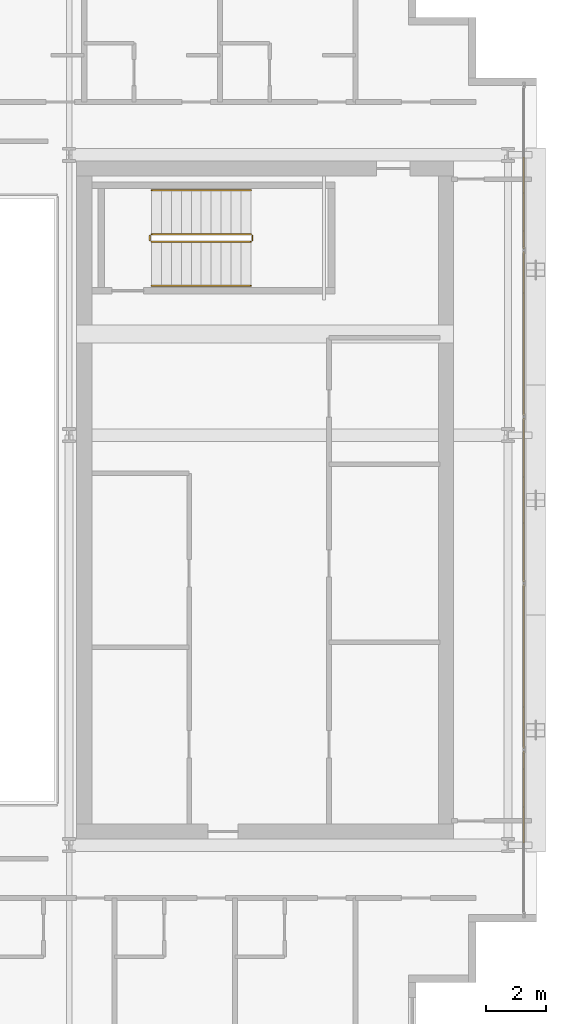
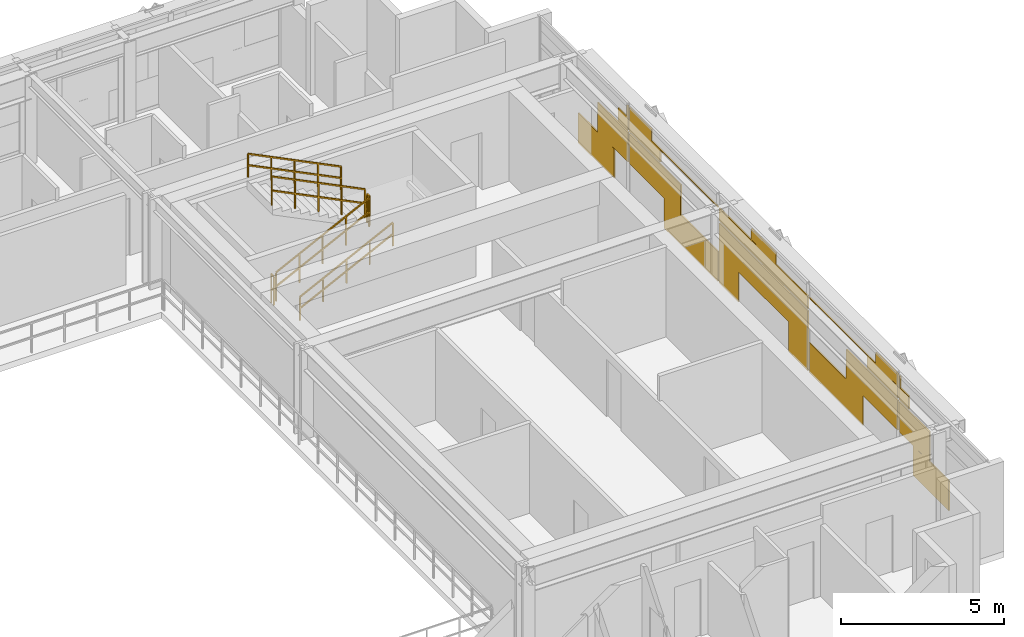
# One storey, part 31 of 32: 6 railings, 1 covering.
"""IFC4 building model written with IfcOpenShell, lengths in metres."""

from ifc_helpers import new_model, si_unit, direction, frame, origin, origin_2d, place, context, subcontext, project, spatial, rectangle, extrude, material, layer, layer_set, type_object, element, save


model = new_model("IFC4")

# Units and contexts
model_context = context("Model", 3, precision=1e-05, world=origin(), true_north=direction((0.0, 1.0)))
body_context = subcontext(model_context, "Body", "Model", "MODEL_VIEW")
ifc_project = project(units=[si_unit("LENGTHUNIT", "METRE"), si_unit("AREAUNIT", "SQUARE_METRE"), si_unit("VOLUMEUNIT", "CUBIC_METRE"), si_unit("PLANEANGLEUNIT", "RADIAN"), si_unit("MASSUNIT", "GRAM", prefix="KILO")], contexts=[model_context])

# Site, building, storey
site_placement = place(None, origin())
site = spatial("IfcSite", under=ifc_project, at=site_placement, CompositionType="ELEMENT")
building_placement = place(site_placement, origin())
building = spatial("IfcBuilding", under=site, at=building_placement, Name="Ocotamira Hotel", CompositionType="ELEMENT")
storey_placement = place(building_placement, frame((0.0, 0.0, 166.800048828125)))
storey = spatial("IfcBuildingStorey", under=building, at=storey_placement, Name="L41", CompositionType="ELEMENT", Elevation=166.800048828125)

# Covering
ifc_material_1 = material(Name="Insulated pale-metal aluminium spandrel panel", Category="aluminium")
ifc_layer = layer(ifc_material_1, 0.044921875)
ifc_layer_set = layer_set([ifc_layer], Name="Insulated pale-metal aluminium spandrel panel")
covering_type = type_object("IfcCoveringType", Name="COV-INFILL-45", PredefinedType="CLADDING", material=ifc_layer_set)
covering_placement = place(storey_placement, origin())
element("IfcCovering", 1, at=covering_placement, inside=storey, type_object=covering_type, Name="L41 Curtain Wall Infill CW-4 CW-L41-E", PredefinedType="CLADDING", context=body_context, shape_type="SweptSolid", body=[
    extrude(rectangle(XDim=2.205078125, YDim=0.044921875, at=origin_2d()), frame((55.580078125, 15.7314453125, 0.0751953125), z_axis=(0.0, 0.0, 1.0), x_axis=(0.0, 1.0, 0.0)), (0.0, 0.0, 1.0), 1.117919921875),
    extrude(rectangle(XDim=1.864501953125, YDim=0.044921875, at=origin_2d()), frame((55.580078125, 16.747314453125, 1.19384765625), z_axis=(0.0, 0.0, 1.0), x_axis=(0.0, 1.0, 0.0)), (0.0, 0.0, 1.0), 1.117919921875),
    extrude(rectangle(XDim=0.59912109375, YDim=0.044921875, at=origin_2d()), frame((55.580078125, 17.3798828125, 2.38818359375), z_axis=(0.0, 0.0, 1.0), x_axis=(0.0, 1.0, 0.0)), (0.0, 0.0, 1.0), 0.493896484375),
    extrude(rectangle(XDim=0.07421875, YDim=0.044921875, at=origin_2d()), frame((55.580078125, 17.642333984375, 2.883056640625), z_axis=(0.0, 0.0, 1.0), x_axis=(0.0, 1.0, 0.0)), (0.0, 0.0, 1.0), 0.41162109375),
    extrude(rectangle(XDim=3.157958984375, YDim=0.044921875, at=origin_2d()), frame((55.580078125, 19.33935546875, 1.19384765625), z_axis=(0.0, 0.0, 1.0), x_axis=(0.0, 1.0, 0.0)), (0.0, 0.0, 1.0), 1.117919921875),
    extrude(rectangle(XDim=3.30029296875, YDim=0.044921875, at=origin_2d()), frame((55.580078125, 21.54931640625, 0.0751953125), z_axis=(0.0, 0.0, 1.0), x_axis=(0.0, 1.0, 0.0)), (0.0, 0.0, 1.0), 1.117919921875),
    extrude(rectangle(XDim=1.892333984375, YDim=0.044921875, at=origin_2d()), frame((55.580078125, 18.70654296875, 2.38818359375), z_axis=(0.0, 0.0, 1.0), x_axis=(0.0, 1.0, 0.0)), (0.0, 0.0, 1.0), 0.459716796875),
    extrude(rectangle(XDim=5.43896484375, YDim=0.044921875, at=origin_2d()), frame((55.580078125, 20.47998046875, 2.8486328125), z_axis=(0.0, 0.0, 1.0), x_axis=(0.0, 1.0, 0.0)), (0.0, 0.0, 1.0), 0.033203125),
    extrude(rectangle(XDim=1.367431640625, YDim=0.044921875, at=origin_2d()), frame((55.580078125, 18.444091796875, 2.883056640625), z_axis=(0.0, 0.0, 1.0), x_axis=(0.0, 1.0, 0.0)), (0.0, 0.0, 1.0), 0.41162109375),
    extrude(rectangle(XDim=1.18701171875, YDim=0.044921875, at=origin_2d()), frame((55.580078125, 23.873779296875, 0.0751953125), z_axis=(0.0, 0.0, 1.0), x_axis=(0.0, 1.0, 0.0)), (0.0, 0.0, 1.0), 1.117919921875),
    extrude(rectangle(XDim=5.43896484375, YDim=0.044921875, at=origin_2d()), frame((55.580078125, 26.0, 1.19384765625), z_axis=(0.0, 0.0, 1.0), x_axis=(0.0, 1.0, 0.0)), (0.0, 0.0, 1.0), 1.117919921875),
    extrude(rectangle(XDim=1.18701171875, YDim=0.044921875, at=origin_2d()), frame((55.580078125, 28.126220703125, 0.0751953125), z_axis=(0.0, 0.0, 1.0), x_axis=(0.0, 1.0, 0.0)), (0.0, 0.0, 1.0), 1.117919921875),
    extrude(rectangle(XDim=5.43896484375, YDim=0.044921875, at=origin_2d()), frame((55.580078125, 26.0, 2.38818359375), z_axis=(0.0, 0.0, 1.0), x_axis=(0.0, 1.0, 0.0)), (0.0, 0.0, 1.0), 0.493896484375),
    extrude(rectangle(XDim=1.522705078125, YDim=0.044921875, at=origin_2d()), frame((55.580078125, 26.0, 2.883056640625), z_axis=(0.0, 0.0, 1.0), x_axis=(0.0, 1.0, 0.0)), (0.0, 0.0, 1.0), 0.41162109375),
    extrude(rectangle(XDim=3.30029296875, YDim=0.044921875, at=origin_2d()), frame((55.580078125, 30.45068359375, 0.0751953125), z_axis=(0.0, 0.0, 1.0), x_axis=(0.0, 1.0, 0.0)), (0.0, 0.0, 1.0), 1.117919921875),
    extrude(rectangle(XDim=3.157958984375, YDim=0.044921875, at=origin_2d()), frame((55.580078125, 32.66064453125, 1.19384765625), z_axis=(0.0, 0.0, 1.0), x_axis=(0.0, 1.0, 0.0)), (0.0, 0.0, 1.0), 1.117919921875),
    extrude(rectangle(XDim=5.43896484375, YDim=0.044921875, at=origin_2d()), frame((55.580078125, 31.52001953125, 2.8486328125), z_axis=(0.0, 0.0, 1.0), x_axis=(0.0, 1.0, 0.0)), (0.0, 0.0, 1.0), 0.033203125),
    extrude(rectangle(XDim=1.892333984375, YDim=0.044921875, at=origin_2d()), frame((55.580078125, 33.29345703125, 2.38818359375), z_axis=(0.0, 0.0, 1.0), x_axis=(0.0, 1.0, 0.0)), (0.0, 0.0, 1.0), 0.459716796875),
    extrude(rectangle(XDim=1.367431640625, YDim=0.044921875, at=origin_2d()), frame((55.580078125, 33.555908203125, 2.883056640625), z_axis=(0.0, 0.0, 1.0), x_axis=(0.0, 1.0, 0.0)), (0.0, 0.0, 1.0), 0.41162109375),
    extrude(rectangle(XDim=1.864501953125, YDim=0.044921875, at=origin_2d()), frame((55.580078125, 35.252685546875, 1.19384765625), z_axis=(0.0, 0.0, 1.0), x_axis=(0.0, 1.0, 0.0)), (0.0, 0.0, 1.0), 1.117919921875),
    extrude(rectangle(XDim=2.205078125, YDim=0.044921875, at=origin_2d()), frame((55.580078125, 36.2685546875, 0.0751953125), z_axis=(0.0, 0.0, 1.0), x_axis=(0.0, 1.0, 0.0)), (0.0, 0.0, 1.0), 1.117919921875),
    extrude(rectangle(XDim=0.59912109375, YDim=0.044921875, at=origin_2d()), frame((55.580078125, 34.6201171875, 2.38818359375), z_axis=(0.0, 0.0, 1.0), x_axis=(0.0, 1.0, 0.0)), (0.0, 0.0, 1.0), 0.493896484375),
    extrude(rectangle(XDim=0.07421875, YDim=0.044921875, at=origin_2d()), frame((55.580078125, 34.357666015625, 2.883056640625), z_axis=(0.0, 0.0, 1.0), x_axis=(0.0, 1.0, 0.0)), (0.0, 0.0, 1.0), 0.41162109375),
])

# Railings
ifc_material_2 = material(Name="Brushed stainless steel handrail", Category="steel")
railing_type_1 = type_object("IfcRailingType", Name="RL-HAND-900", PredefinedType="HANDRAIL", material=ifc_material_2)
railing_1_placement = place(storey_placement, frame((43.22998046875, 33.10009765625, 0.3271484375)))
element("IfcRailing", 2, at=railing_1_placement, inside=storey, type_object=railing_type_1, Name="L41 ST-4 stair handrail 1", PredefinedType="HANDRAIL", context=body_context, shape_type="SweptSolid", body=[
    extrude(rectangle(XDim=0.048095703125, YDim=0.048095703125, at=origin_2d()), frame((0.0, 0.0, 0.8759765625), z_axis=(0.895893744519, 0.0, 0.4442683857), x_axis=(0.0, 1.0, 0.0)), (0.0, 0.0, 1.0), 3.68359375),
    extrude(rectangle(XDim=0.048095703125, YDim=0.048095703125, at=origin_2d()), frame((0.0, 0.0, 0.449951171875), z_axis=(0.895893744519, 0.0, 0.4442683857), x_axis=(0.0, 1.0, 0.0)), (0.0, 0.0, 1.0), 3.68359375),
    extrude(rectangle(XDim=0.0419921875, YDim=0.0419921875, at=origin_2d()), origin(), (0.0, 0.0, 1.0), 0.851806640625),
    extrude(rectangle(XDim=0.0419921875, YDim=0.0419921875, at=origin_2d()), frame((0.824951171875, 0.0, 0.4091796875)), (0.0, 0.0, 1.0), 0.851806640625),
    extrude(rectangle(XDim=0.0419921875, YDim=0.0419921875, at=origin_2d()), frame((1.64990234375, 0.0, 0.818359375)), (0.0, 0.0, 1.0), 0.851806640625),
    extrude(rectangle(XDim=0.0419921875, YDim=0.0419921875, at=origin_2d()), frame((2.47509765625, 0.0, 1.227294921875)), (0.0, 0.0, 1.0), 0.851806640625),
    extrude(rectangle(XDim=0.0419921875, YDim=0.0419921875, at=origin_2d()), frame((3.300048828125, 0.0, 1.636474609375)), (0.0, 0.0, 1.0), 0.851806640625),
])
railing_2_placement = place(storey_placement, frame((46.530029296875, 36.280029296875, 2.127197265625)))
element("IfcRailing", 3, at=railing_2_placement, inside=storey, type_object=railing_type_1, Name="L41 ST-4 stair handrail 2", PredefinedType="HANDRAIL", context=body_context, shape_type="SweptSolid", body=[
    extrude(rectangle(XDim=0.048095703125, YDim=0.048095703125, at=origin_2d()), frame((0.0, 0.0, 0.8759765625), z_axis=(-0.895893744519, 0.0, 0.4442683857), x_axis=(0.0, -1.0, 0.0)), (0.0, 0.0, 1.0), 3.68359375),
    extrude(rectangle(XDim=0.048095703125, YDim=0.048095703125, at=origin_2d()), frame((0.0, 0.0, 0.449951171875), z_axis=(-0.895893744519, 0.0, 0.4442683857), x_axis=(0.0, -1.0, 0.0)), (0.0, 0.0, 1.0), 3.68359375),
    extrude(rectangle(XDim=0.0419921875, YDim=0.0419921875, at=origin_2d()), origin(), (0.0, 0.0, 1.0), 0.851806640625),
    extrude(rectangle(XDim=0.0419921875, YDim=0.0419921875, at=origin_2d()), frame((-0.824951171875, 0.0, 0.4091796875)), (0.0, 0.0, 1.0), 0.851806640625),
    extrude(rectangle(XDim=0.0419921875, YDim=0.0419921875, at=origin_2d()), frame((-1.64990234375, 0.0, 0.818359375)), (0.0, 0.0, 1.0), 0.851806640625),
    extrude(rectangle(XDim=0.0419921875, YDim=0.0419921875, at=origin_2d()), frame((-2.47509765625, 0.0, 1.227294921875)), (0.0, 0.0, 1.0), 0.851806640625),
    extrude(rectangle(XDim=0.0419921875, YDim=0.0419921875, at=origin_2d()), frame((-3.300048828125, 0.0, 1.636474609375)), (0.0, 0.0, 1.0), 0.851806640625),
])
ifc_material_3 = material(Name="Painted steel stair guardrail", Category="steel")
railing_type_2 = type_object("IfcRailingType", Name="RL-STAIR-1100", PredefinedType="GUARDRAIL", material=ifc_material_3)
railing_3_placement = place(storey_placement, frame((43.22998046875, 34.56005859375, 0.16357421875)))
element("IfcRailing", 4, at=railing_3_placement, inside=storey, type_object=railing_type_2, Name="L41 ST-4 stair guard 1", PredefinedType="GUARDRAIL", context=body_context, shape_type="SweptSolid", body=[
    extrude(rectangle(XDim=0.048095703125, YDim=0.048095703125, at=origin_2d()), frame((0.0, 0.0, 1.076171875), z_axis=(0.895893744519, 0.0, 0.4442683857), x_axis=(0.0, 1.0, 0.0)), (0.0, 0.0, 1.0), 3.68359375),
    extrude(rectangle(XDim=0.048095703125, YDim=0.048095703125, at=origin_2d()), frame((0.0, 0.0, 0.550048828125), z_axis=(0.895893744519, 0.0, 0.4442683857), x_axis=(0.0, 1.0, 0.0)), (0.0, 0.0, 1.0), 3.68359375),
    extrude(rectangle(XDim=0.0419921875, YDim=0.0419921875, at=origin_2d()), origin(), (0.0, 0.0, 1.0), 1.052001953125),
    extrude(rectangle(XDim=0.0419921875, YDim=0.0419921875, at=origin_2d()), frame((0.824951171875, 0.0, 0.4091796875)), (0.0, 0.0, 1.0), 1.052001953125),
    extrude(rectangle(XDim=0.0419921875, YDim=0.0419921875, at=origin_2d()), frame((1.64990234375, 0.0, 0.818359375)), (0.0, 0.0, 1.0), 1.052001953125),
    extrude(rectangle(XDim=0.0419921875, YDim=0.0419921875, at=origin_2d()), frame((2.47509765625, 0.0, 1.227294921875)), (0.0, 0.0, 1.0), 1.052001953125),
    extrude(rectangle(XDim=0.0419921875, YDim=0.0419921875, at=origin_2d()), frame((3.300048828125, 0.0, 1.636474609375)), (0.0, 0.0, 1.0), 1.052001953125),
])
railing_4_placement = place(storey_placement, frame((46.580078125, 34.610107421875, 1.800048828125)))
element("IfcRailing", 5, at=railing_4_placement, inside=storey, type_object=railing_type_2, Name="L41 ST-4 stair guard 2", PredefinedType="GUARDRAIL", context=body_context, shape_type="SweptSolid", body=[
    extrude(rectangle(XDim=0.048095703125, YDim=0.048095703125, at=origin_2d()), frame((0.0, 0.0, 1.076171875), z_axis=(0.0, 1.0, 0.0), x_axis=(-1.0, 0.0, 0.0)), (0.0, 0.0, 1.0), 0.159912109375),
    extrude(rectangle(XDim=0.048095703125, YDim=0.048095703125, at=origin_2d()), frame((0.0, 0.0, 0.550048828125), z_axis=(0.0, 1.0, 0.0), x_axis=(-1.0, 0.0, 0.0)), (0.0, 0.0, 1.0), 0.159912109375),
    extrude(rectangle(XDim=0.0419921875, YDim=0.0419921875, at=origin_2d()), origin(), (0.0, 0.0, 1.0), 1.052001953125),
    extrude(rectangle(XDim=0.0419921875, YDim=0.0419921875, at=origin_2d()), frame((0.0, 0.159912109375, 0.0)), (0.0, 0.0, 1.0), 1.052001953125),
])
railing_5_placement = place(storey_placement, frame((46.530029296875, 34.820068359375, 1.963623046875)))
element("IfcRailing", 6, at=railing_5_placement, inside=storey, type_object=railing_type_2, Name="L41 ST-4 stair guard 3", PredefinedType="GUARDRAIL", context=body_context, shape_type="SweptSolid", body=[
    extrude(rectangle(XDim=0.048095703125, YDim=0.048095703125, at=origin_2d()), frame((0.0, 0.0, 1.076171875), z_axis=(-0.895920123917, 0.0, 0.444215186098), x_axis=(0.0, -1.0, 0.0)), (0.0, 0.0, 1.0), 3.683349609375),
    extrude(rectangle(XDim=0.048095703125, YDim=0.048095703125, at=origin_2d()), frame((0.0, 0.0, 0.550048828125), z_axis=(-0.895920123917, 0.0, 0.444215186098), x_axis=(0.0, -1.0, 0.0)), (0.0, 0.0, 1.0), 3.683349609375),
    extrude(rectangle(XDim=0.0419921875, YDim=0.0419921875, at=origin_2d()), origin(), (0.0, 0.0, 1.0), 1.052001953125),
    extrude(rectangle(XDim=0.0419921875, YDim=0.0419921875, at=origin_2d()), frame((-0.824951171875, 0.0, 0.4091796875)), (0.0, 0.0, 1.0), 1.052001953125),
    extrude(rectangle(XDim=0.0419921875, YDim=0.0419921875, at=origin_2d()), frame((-1.64990234375, 0.0, 0.818115234375)), (0.0, 0.0, 1.0), 1.052001953125),
    extrude(rectangle(XDim=0.0419921875, YDim=0.0419921875, at=origin_2d()), frame((-2.47509765625, 0.0, 1.22705078125)), (0.0, 0.0, 1.0), 1.052001953125),
    extrude(rectangle(XDim=0.0419921875, YDim=0.0419921875, at=origin_2d()), frame((-3.300048828125, 0.0, 1.63623046875)), (0.0, 0.0, 1.0), 1.052001953125),
])
railing_6_placement = place(storey_placement, frame((43.179931640625, 34.610107421875, 0.0)))
element("IfcRailing", 7, at=railing_6_placement, inside=storey, type_object=railing_type_2, Name="L41 ST-4 stair guard 4", PredefinedType="GUARDRAIL", context=body_context, shape_type="SweptSolid", body=[
    extrude(rectangle(XDim=0.048095703125, YDim=0.048095703125, at=origin_2d()), frame((0.0, 0.0, 1.076171875), z_axis=(0.0, 1.0, 0.0), x_axis=(-1.0, 0.0, 0.0)), (0.0, 0.0, 1.0), 0.159912109375),
    extrude(rectangle(XDim=0.048095703125, YDim=0.048095703125, at=origin_2d()), frame((0.0, 0.0, 0.550048828125), z_axis=(0.0, 1.0, 0.0), x_axis=(-1.0, 0.0, 0.0)), (0.0, 0.0, 1.0), 0.159912109375),
    extrude(rectangle(XDim=0.0419921875, YDim=0.0419921875, at=origin_2d()), origin(), (0.0, 0.0, 1.0), 1.052001953125),
    extrude(rectangle(XDim=0.0419921875, YDim=0.0419921875, at=origin_2d()), frame((0.0, 0.159912109375, 0.0)), (0.0, 0.0, 1.0), 1.052001953125),
])

save(model, "model.ifc")
